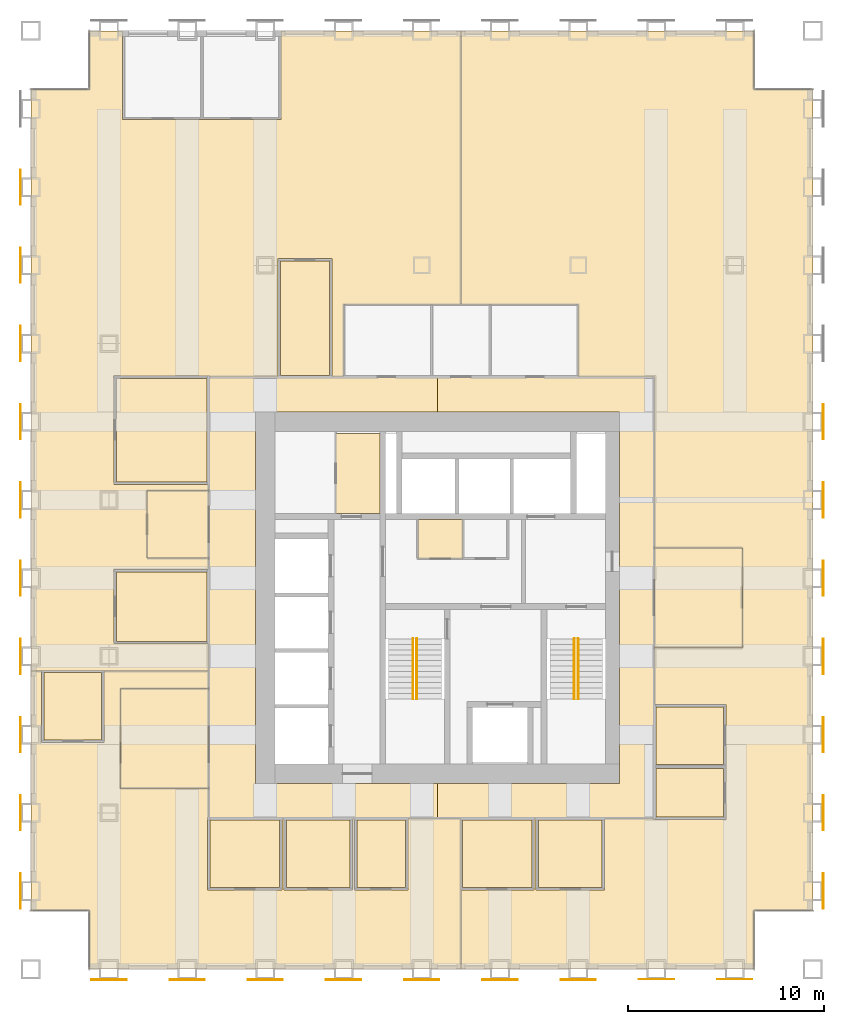
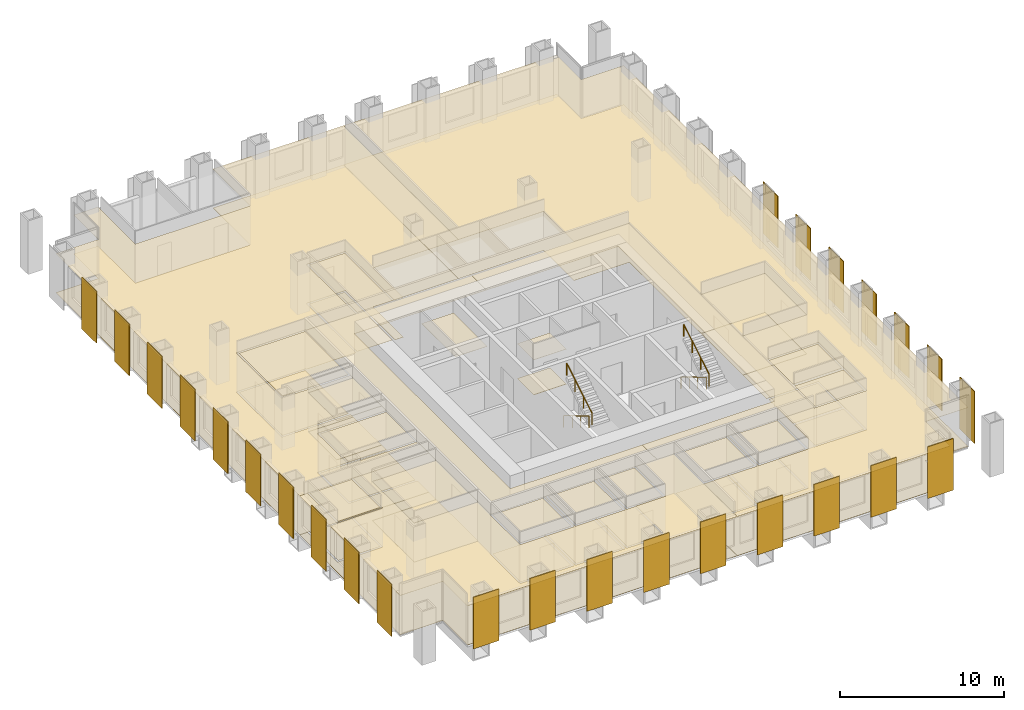
# One storey, part 12 of 13: 39 coverings, 26 shading devices, 4 railings.
"""IFC4 building model written with IfcOpenShell, lengths in metres."""

from ifc_helpers import new_model, si_unit, direction, frame, origin, origin_2d, place, context, subcontext, project, spatial, polyline, rectangle, circle, outline, extrude, material, layer, layer_set, type_object, element, save


model = new_model("IFC4")

# Units and contexts
model_context = context("Model", 3, precision=1e-05, world=origin(), true_north=direction((0.0, 1.0)))
body_context = subcontext(model_context, "Body", "Model", "MODEL_VIEW")
ifc_project = project(units=[si_unit("LENGTHUNIT", "METRE"), si_unit("AREAUNIT", "SQUARE_METRE"), si_unit("VOLUMEUNIT", "CUBIC_METRE"), si_unit("PLANEANGLEUNIT", "RADIAN"), si_unit("MASSUNIT", "GRAM", prefix="KILO")], contexts=[model_context])

# Site, building, storey
site_placement = place(None, origin())
site = spatial("IfcSite", under=ifc_project, at=site_placement, CompositionType="ELEMENT")
building_placement = place(site_placement, origin())
building = spatial("IfcBuilding", under=site, at=building_placement, Name="Rimbunsela Tower", CompositionType="ELEMENT")
storey_placement = place(building_placement, frame((0.0, 0.0, 175.800048828125)))
storey = spatial("IfcBuildingStorey", under=building, at=storey_placement, Name="L42", CompositionType="ELEMENT", Elevation=175.800048828125)

# Coverings
ifc_material_1 = material(Name="Nylon carpet tile", Category="textile")
ifc_layer_1 = layer(ifc_material_1, 0.010009765625)
ifc_layer_set_1 = layer_set([ifc_layer_1], Name="Carpet tile 10")
covering_type_1 = type_object("IfcCoveringType", Name="Carpet tile 10", PredefinedType="FLOORING", material=ifc_layer_set_1)
covering_1_placement = place(storey_placement, origin())
element("IfcCovering", 1, at=covering_1_placement, inside=storey, type_object=covering_type_1, Name="Floor finish Open office", PredefinedType="FLOORING", context=body_context, shape_type="SweptSolid", body=[
    extrude(outline(polyline([(18.85009765625, 15.699951171875), (18.949951171875, 15.699951171875), (18.949951171875, 12.050048828125), (22.449951171875, 12.050048828125), (22.449951171875, 15.699951171875), (22.550048828125, 15.699951171875), (22.550048828125, 12.050048828125), (25.300048828125, 12.050048828125), (25.300048828125, 15.699951171875), (27.9990234375, 15.699951171875), (27.9990234375, 8.0), (15.10009765625, 8.0), (9.0, 8.0), (9.0, 11.0), (6.0, 11.0), (6.0, 23.2490234375), (6.550048828125, 23.2490234375), (6.550048828125, 19.60009765625), (9.75, 19.60009765625), (9.75, 23.2490234375), (15.10009765625, 23.2490234375), (15.10009765625, 22.34912109375), (10.60009765625, 22.34912109375), (10.60009765625, 17.2490234375), (15.10009765625, 17.2490234375), (15.10009765625, 15.75), (15.050048828125, 15.75), (15.050048828125, 12.050048828125), (15.10009765625, 12.050048828125), (18.85009765625, 12.050048828125), (18.85009765625, 15.699951171875)])), origin(), (0.0, 0.0, 1.0), 0.010009765625),
])
covering_2_placement = place(storey_placement, origin())
element("IfcCovering", 2, at=covering_2_placement, inside=storey, type_object=covering_type_1, Name="Floor finish Open office", PredefinedType="FLOORING", context=body_context, shape_type="SweptSolid", body=[
    extrude(outline(polyline([(14.699951171875, 51.449951171875), (14.800048828125, 51.449951171875), (15.10009765625, 51.449951171875), (18.800048828125, 51.449951171875), (18.800048828125, 56.0), (27.9990234375, 56.0), (27.9990234375, 42.0), (22.0, 42.0), (22.0, 38.300048828125), (21.39990234375, 38.300048828125), (21.39990234375, 44.35009765625), (18.64990234375, 44.35009765625), (18.64990234375, 38.300048828125), (15.14990234375, 38.300048828125), (15.14990234375, 38.35009765625), (15.10009765625, 38.35009765625), (10.25, 38.35009765625), (10.25, 32.800048828125), (15.10009765625, 32.800048828125), (15.10009765625, 32.47509765625), (11.949951171875, 32.47509765625), (11.949951171875, 29.02490234375), (15.10009765625, 29.02490234375), (15.10009765625, 28.449951171875), (10.25, 28.449951171875), (10.25, 24.64990234375), (15.10009765625, 24.64990234375), (15.10009765625, 23.2509765625), (6.0, 23.2509765625), (6.0, 53.0), (9.0, 53.0), (9.0, 56.0), (10.699951171875, 56.0), (10.699951171875, 51.449951171875), (14.699951171875, 51.449951171875)])), origin(), (0.0, 0.0, 1.0), 0.010009765625),
])
covering_3_placement = place(storey_placement, origin())
element("IfcCovering", 3, at=covering_3_placement, inside=storey, type_object=covering_type_1, Name="Floor finish Open office", PredefinedType="FLOORING", context=body_context, shape_type="SweptSolid", body=[
    extrude(outline(polyline([(28.0009765625, 12.050048828125), (31.75, 12.050048828125), (31.75, 15.699951171875), (31.85009765625, 15.699951171875), (31.85009765625, 12.050048828125), (35.35009765625, 12.050048828125), (35.35009765625, 15.699951171875), (37.85009765625, 15.699951171875), (37.85009765625, 15.64990234375), (37.89990234375, 15.64990234375), (41.550048828125, 15.64990234375), (41.550048828125, 18.35009765625), (41.550048828125, 18.39990234375), (41.550048828125, 21.550048828125), (37.89990234375, 21.550048828125), (37.89990234375, 24.449951171875), (42.39990234375, 24.449951171875), (42.39990234375, 29.550048828125), (37.89990234375, 29.550048828125), (37.89990234375, 38.300048828125), (34.0, 38.300048828125), (34.0, 42.0), (28.0009765625, 42.0), (28.0009765625, 56.0), (37.89990234375, 56.0), (43.0, 56.0), (43.0, 53.0), (46.0, 53.0), (46.0, 11.0), (43.0, 11.0), (43.0, 8.0), (37.89990234375, 8.0), (28.0009765625, 8.0), (28.0009765625, 12.050048828125)])), origin(), (0.0, 0.0, 1.0), 0.010009765625),
])
covering_4_placement = place(storey_placement, origin())
element("IfcCovering", 4, at=covering_4_placement, inside=storey, type_object=covering_type_1, Name="Floor finish Reception", PredefinedType="FLOORING", context=body_context, shape_type="SweptSolid", body=[
    extrude(outline(polyline([(15.10009765625, 17.2490234375), (15.10009765625, 22.34912109375), (10.60009765625, 22.34912109375), (10.60009765625, 17.2490234375), (15.10009765625, 17.2490234375)])), origin(), (0.0, 0.0, 1.0), 0.010009765625),
])
covering_5_placement = place(storey_placement, origin())
element("IfcCovering", 5, at=covering_5_placement, inside=storey, type_object=covering_type_1, Name="Floor finish Reception", PredefinedType="FLOORING", context=body_context, shape_type="SweptSolid", body=[
    extrude(outline(polyline([(15.10009765625, 29.02490234375), (15.10009765625, 32.47509765625), (11.949951171875, 32.47509765625), (11.949951171875, 29.02490234375), (15.10009765625, 29.02490234375)])), origin(), (0.0, 0.0, 1.0), 0.010009765625),
])
covering_6_placement = place(storey_placement, origin())
element("IfcCovering", 6, at=covering_6_placement, inside=storey, type_object=covering_type_1, Name="Floor finish Reception", PredefinedType="FLOORING", context=body_context, shape_type="SweptSolid", body=[
    extrude(outline(polyline([(42.39990234375, 24.449951171875), (42.39990234375, 29.550048828125), (37.89990234375, 29.550048828125), (37.89990234375, 24.449951171875), (42.39990234375, 24.449951171875)])), origin(), (0.0, 0.0, 1.0), 0.010009765625),
])
covering_7_placement = place(storey_placement, origin())
element("IfcCovering", 7, at=covering_7_placement, inside=storey, type_object=covering_type_1, Name="Floor finish Pantry", PredefinedType="FLOORING", context=body_context, shape_type="SweptSolid", body=[
    extrude(outline(polyline([(15.02490234375, 32.925048828125), (15.02490234375, 38.22509765625), (10.375, 38.22509765625), (10.375, 32.925048828125), (15.02490234375, 32.925048828125)])), origin(), (0.0, 0.0, 1.0), 0.010009765625),
])
covering_8_placement = place(storey_placement, origin())
element("IfcCovering", 8, at=covering_8_placement, inside=storey, type_object=covering_type_1, Name="Floor finish Meeting room", PredefinedType="FLOORING", context=body_context, shape_type="SweptSolid", body=[
    extrude(outline(polyline([(18.72509765625, 12.175048828125), (18.72509765625, 15.625), (15.175048828125, 15.625), (15.175048828125, 12.175048828125), (18.72509765625, 12.175048828125)])), origin(), (0.0, 0.0, 1.0), 0.010009765625),
])
covering_9_placement = place(storey_placement, origin())
element("IfcCovering", 9, at=covering_9_placement, inside=storey, type_object=covering_type_1, Name="Floor finish Pantry", PredefinedType="FLOORING", context=body_context, shape_type="SweptSolid", body=[
    extrude(outline(polyline([(22.324951171875, 12.175048828125), (22.324951171875, 15.625), (19.074951171875, 15.625), (19.074951171875, 12.175048828125), (22.324951171875, 12.175048828125)])), origin(), (0.0, 0.0, 1.0), 0.010009765625),
])
covering_10_placement = place(storey_placement, origin())
element("IfcCovering", 10, at=covering_10_placement, inside=storey, type_object=covering_type_1, Name="Floor finish Print and copy room", PredefinedType="FLOORING", context=body_context, shape_type="SweptSolid", body=[
    extrude(outline(polyline([(25.175048828125, 12.175048828125), (25.175048828125, 15.625), (22.675048828125, 15.625), (22.675048828125, 12.175048828125), (25.175048828125, 12.175048828125)])), origin(), (0.0, 0.0, 1.0), 0.010009765625),
])
covering_11_placement = place(storey_placement, origin())
element("IfcCovering", 11, at=covering_11_placement, inside=storey, type_object=covering_type_1, Name="Floor finish Office", PredefinedType="FLOORING", context=body_context, shape_type="SweptSolid", body=[
    extrude(outline(polyline([(9.625, 19.72509765625), (9.625, 23.175048828125), (6.675048828125, 23.175048828125), (6.675048828125, 19.72509765625), (9.625, 19.72509765625)])), origin(), (0.0, 0.0, 1.0), 0.010009765625),
])
covering_12_placement = place(storey_placement, origin())
element("IfcCovering", 12, at=covering_12_placement, inside=storey, type_object=covering_type_1, Name="Floor finish Meeting room", PredefinedType="FLOORING", context=body_context, shape_type="SweptSolid", body=[
    extrude(outline(polyline([(15.02490234375, 24.77490234375), (15.02490234375, 28.324951171875), (10.375, 28.324951171875), (10.375, 24.77490234375), (15.02490234375, 24.77490234375)])), origin(), (0.0, 0.0, 1.0), 0.010009765625),
])
covering_13_placement = place(storey_placement, origin())
element("IfcCovering", 13, at=covering_13_placement, inside=storey, type_object=covering_type_1, Name="Floor finish Print and copy room", PredefinedType="FLOORING", context=body_context, shape_type="SweptSolid", body=[
    extrude(outline(polyline([(21.27490234375, 38.375), (21.27490234375, 44.22509765625), (18.77490234375, 44.22509765625), (18.77490234375, 38.375), (21.27490234375, 38.375)])), origin(), (0.0, 0.0, 1.0), 0.010009765625),
])
covering_14_placement = place(storey_placement, origin())
element("IfcCovering", 14, at=covering_14_placement, inside=storey, type_object=covering_type_1, Name="Floor finish Meeting room", PredefinedType="FLOORING", context=body_context, shape_type="SweptSolid", body=[
    extrude(outline(polyline([(31.625, 12.175048828125), (31.625, 15.625), (28.074951171875, 15.625), (28.074951171875, 12.175048828125), (31.625, 12.175048828125)])), origin(), (0.0, 0.0, 1.0), 0.010009765625),
])
covering_15_placement = place(storey_placement, origin())
element("IfcCovering", 15, at=covering_15_placement, inside=storey, type_object=covering_type_1, Name="Floor finish Pantry", PredefinedType="FLOORING", context=body_context, shape_type="SweptSolid", body=[
    extrude(outline(polyline([(35.22509765625, 12.175048828125), (35.22509765625, 15.625), (31.97509765625, 15.625), (31.97509765625, 12.175048828125), (35.22509765625, 12.175048828125)])), origin(), (0.0, 0.0, 1.0), 0.010009765625),
])
covering_16_placement = place(storey_placement, origin())
element("IfcCovering", 16, at=covering_16_placement, inside=storey, type_object=covering_type_1, Name="Floor finish Print and copy room", PredefinedType="FLOORING", context=body_context, shape_type="SweptSolid", body=[
    extrude(outline(polyline([(41.425048828125, 15.77490234375), (41.425048828125, 18.27490234375), (37.97509765625, 18.27490234375), (37.97509765625, 15.77490234375), (41.425048828125, 15.77490234375)])), origin(), (0.0, 0.0, 1.0), 0.010009765625),
])
covering_17_placement = place(storey_placement, origin())
element("IfcCovering", 17, at=covering_17_placement, inside=storey, type_object=covering_type_1, Name="Floor finish Office", PredefinedType="FLOORING", context=body_context, shape_type="SweptSolid", body=[
    extrude(outline(polyline([(41.425048828125, 18.47509765625), (41.425048828125, 21.425048828125), (37.97509765625, 21.425048828125), (37.97509765625, 18.47509765625), (41.425048828125, 18.47509765625)])), origin(), (0.0, 0.0, 1.0), 0.010009765625),
])
ifc_material_2 = material(Name="Mineral fibre ceiling tile", Category="gypsum")
ifc_layer_2 = layer(ifc_material_2, 0.02001953125)
ifc_layer_set_2 = layer_set([ifc_layer_2], Name="Ceiling 600 grid")
covering_type_2 = type_object("IfcCoveringType", Name="Ceiling 600 grid", PredefinedType="CEILING", material=ifc_layer_set_2)
covering_18_placement = place(storey_placement, frame((0.0, 0.0, 2.89990234375)))
element("IfcCovering", 18, at=covering_18_placement, inside=storey, type_object=covering_type_2, Name="Ceiling Staff pantry", PredefinedType="CEILING", context=body_context, shape_type="SweptSolid", body=[
    extrude(outline(polyline([(23.85009765625, 31.300048828125), (23.85009765625, 35.39990234375), (21.60009765625, 35.39990234375), (21.60009765625, 31.300048828125), (23.85009765625, 31.300048828125)])), origin(), (0.0, 0.0, 1.0), 0.02001953125),
])
covering_19_placement = place(storey_placement, frame((0.0, 0.0, 2.89990234375)))
element("IfcCovering", 19, at=covering_19_placement, inside=storey, type_object=covering_type_2, Name="Ceiling Ring corridor", PredefinedType="CEILING", context=body_context, shape_type="SweptSolid", body=[
    extrude(outline(polyline([(15.10009765625, 38.300048828125), (26.800048828125, 38.300048828125), (26.800048828125, 36.5), (17.5, 36.5), (17.5, 17.5), (26.800048828125, 17.5), (26.800048828125, 15.699951171875), (15.10009765625, 15.699951171875), (15.10009765625, 38.300048828125)])), origin(), (0.0, 0.0, 1.0), 0.02001953125),
])
covering_20_placement = place(storey_placement, frame((0.0, 0.0, 2.89990234375)))
element("IfcCovering", 20, at=covering_20_placement, inside=storey, type_object=covering_type_2, Name="Ceiling Ring corridor", PredefinedType="CEILING", context=body_context, shape_type="SweptSolid", body=[
    extrude(outline(polyline([(37.89990234375, 38.300048828125), (37.89990234375, 15.699951171875), (26.800048828125, 15.699951171875), (26.800048828125, 17.5), (36.10009765625, 17.5), (36.10009765625, 36.5), (26.800048828125, 36.5), (26.800048828125, 38.300048828125), (37.89990234375, 38.300048828125)])), origin(), (0.0, 0.0, 1.0), 0.02001953125),
])
covering_21_placement = place(storey_placement, frame((0.0, 0.0, 2.89990234375)))
element("IfcCovering", 21, at=covering_21_placement, inside=storey, type_object=covering_type_2, Name="Ceiling Open office", PredefinedType="CEILING", context=body_context, shape_type="SweptSolid", body=[
    extrude(outline(polyline([(18.85009765625, 15.699951171875), (18.949951171875, 15.699951171875), (18.949951171875, 12.050048828125), (22.449951171875, 12.050048828125), (22.449951171875, 15.699951171875), (22.550048828125, 15.699951171875), (22.550048828125, 12.050048828125), (25.300048828125, 12.050048828125), (25.300048828125, 15.699951171875), (27.9990234375, 15.699951171875), (27.9990234375, 8.0), (15.10009765625, 8.0), (9.0, 8.0), (9.0, 11.0), (6.0, 11.0), (6.0, 23.2490234375), (6.550048828125, 23.2490234375), (6.550048828125, 19.60009765625), (9.75, 19.60009765625), (9.75, 23.2490234375), (15.10009765625, 23.2490234375), (15.10009765625, 22.34912109375), (10.60009765625, 22.34912109375), (10.60009765625, 17.2490234375), (15.10009765625, 17.2490234375), (15.10009765625, 15.75), (15.050048828125, 15.75), (15.050048828125, 12.050048828125), (15.10009765625, 12.050048828125), (18.85009765625, 12.050048828125), (18.85009765625, 15.699951171875)])), origin(), (0.0, 0.0, 1.0), 0.02001953125),
])
covering_22_placement = place(storey_placement, frame((0.0, 0.0, 2.89990234375)))
element("IfcCovering", 22, at=covering_22_placement, inside=storey, type_object=covering_type_2, Name="Ceiling Open office", PredefinedType="CEILING", context=body_context, shape_type="SweptSolid", body=[
    extrude(outline(polyline([(14.699951171875, 51.449951171875), (14.800048828125, 51.449951171875), (15.10009765625, 51.449951171875), (18.800048828125, 51.449951171875), (18.800048828125, 56.0), (27.9990234375, 56.0), (27.9990234375, 42.0), (22.0, 42.0), (22.0, 38.300048828125), (21.39990234375, 38.300048828125), (21.39990234375, 44.35009765625), (18.64990234375, 44.35009765625), (18.64990234375, 38.300048828125), (15.14990234375, 38.300048828125), (15.14990234375, 38.35009765625), (15.10009765625, 38.35009765625), (10.25, 38.35009765625), (10.25, 32.800048828125), (15.10009765625, 32.800048828125), (15.10009765625, 32.47509765625), (11.949951171875, 32.47509765625), (11.949951171875, 29.02490234375), (15.10009765625, 29.02490234375), (15.10009765625, 28.449951171875), (10.25, 28.449951171875), (10.25, 24.64990234375), (15.10009765625, 24.64990234375), (15.10009765625, 23.2509765625), (6.0, 23.2509765625), (6.0, 53.0), (9.0, 53.0), (9.0, 56.0), (10.699951171875, 56.0), (10.699951171875, 51.449951171875), (14.699951171875, 51.449951171875)])), origin(), (0.0, 0.0, 1.0), 0.02001953125),
])
covering_23_placement = place(storey_placement, frame((0.0, 0.0, 2.89990234375)))
element("IfcCovering", 23, at=covering_23_placement, inside=storey, type_object=covering_type_2, Name="Ceiling Open office", PredefinedType="CEILING", context=body_context, shape_type="SweptSolid", body=[
    extrude(outline(polyline([(28.0009765625, 12.050048828125), (31.75, 12.050048828125), (31.75, 15.699951171875), (31.85009765625, 15.699951171875), (31.85009765625, 12.050048828125), (35.35009765625, 12.050048828125), (35.35009765625, 15.699951171875), (37.85009765625, 15.699951171875), (37.85009765625, 15.64990234375), (37.89990234375, 15.64990234375), (41.550048828125, 15.64990234375), (41.550048828125, 18.35009765625), (41.550048828125, 18.39990234375), (41.550048828125, 21.550048828125), (37.89990234375, 21.550048828125), (37.89990234375, 24.449951171875), (42.39990234375, 24.449951171875), (42.39990234375, 29.550048828125), (37.89990234375, 29.550048828125), (37.89990234375, 38.300048828125), (34.0, 38.300048828125), (34.0, 42.0), (28.0009765625, 42.0), (28.0009765625, 56.0), (37.89990234375, 56.0), (43.0, 56.0), (43.0, 53.0), (46.0, 53.0), (46.0, 11.0), (43.0, 11.0), (43.0, 8.0), (37.89990234375, 8.0), (28.0009765625, 8.0), (28.0009765625, 12.050048828125)])), origin(), (0.0, 0.0, 1.0), 0.02001953125),
])
covering_24_placement = place(storey_placement, frame((0.0, 0.0, 2.89990234375)))
element("IfcCovering", 24, at=covering_24_placement, inside=storey, type_object=covering_type_2, Name="Ceiling Reception", PredefinedType="CEILING", context=body_context, shape_type="SweptSolid", body=[
    extrude(outline(polyline([(15.10009765625, 17.2490234375), (15.10009765625, 22.34912109375), (10.60009765625, 22.34912109375), (10.60009765625, 17.2490234375), (15.10009765625, 17.2490234375)])), origin(), (0.0, 0.0, 1.0), 0.02001953125),
])
covering_25_placement = place(storey_placement, frame((0.0, 0.0, 2.89990234375)))
element("IfcCovering", 25, at=covering_25_placement, inside=storey, type_object=covering_type_2, Name="Ceiling Reception", PredefinedType="CEILING", context=body_context, shape_type="SweptSolid", body=[
    extrude(outline(polyline([(15.10009765625, 29.02490234375), (15.10009765625, 32.47509765625), (11.949951171875, 32.47509765625), (11.949951171875, 29.02490234375), (15.10009765625, 29.02490234375)])), origin(), (0.0, 0.0, 1.0), 0.02001953125),
])
covering_26_placement = place(storey_placement, frame((0.0, 0.0, 2.89990234375)))
element("IfcCovering", 26, at=covering_26_placement, inside=storey, type_object=covering_type_2, Name="Ceiling Reception", PredefinedType="CEILING", context=body_context, shape_type="SweptSolid", body=[
    extrude(outline(polyline([(42.39990234375, 24.449951171875), (42.39990234375, 29.550048828125), (37.89990234375, 29.550048828125), (37.89990234375, 24.449951171875), (42.39990234375, 24.449951171875)])), origin(), (0.0, 0.0, 1.0), 0.02001953125),
])
covering_27_placement = place(storey_placement, frame((0.0, 0.0, 2.89990234375)))
element("IfcCovering", 27, at=covering_27_placement, inside=storey, type_object=covering_type_2, Name="Ceiling Pantry", PredefinedType="CEILING", context=body_context, shape_type="SweptSolid", body=[
    extrude(outline(polyline([(15.02490234375, 32.925048828125), (15.02490234375, 38.22509765625), (10.375, 38.22509765625), (10.375, 32.925048828125), (15.02490234375, 32.925048828125)])), origin(), (0.0, 0.0, 1.0), 0.02001953125),
])
covering_28_placement = place(storey_placement, frame((0.0, 0.0, 2.89990234375)))
element("IfcCovering", 28, at=covering_28_placement, inside=storey, type_object=covering_type_2, Name="Ceiling Meeting room", PredefinedType="CEILING", context=body_context, shape_type="SweptSolid", body=[
    extrude(outline(polyline([(18.72509765625, 12.175048828125), (18.72509765625, 15.625), (15.175048828125, 15.625), (15.175048828125, 12.175048828125), (18.72509765625, 12.175048828125)])), origin(), (0.0, 0.0, 1.0), 0.02001953125),
])
covering_29_placement = place(storey_placement, frame((0.0, 0.0, 2.89990234375)))
element("IfcCovering", 29, at=covering_29_placement, inside=storey, type_object=covering_type_2, Name="Ceiling Pantry", PredefinedType="CEILING", context=body_context, shape_type="SweptSolid", body=[
    extrude(outline(polyline([(22.324951171875, 12.175048828125), (22.324951171875, 15.625), (19.074951171875, 15.625), (19.074951171875, 12.175048828125), (22.324951171875, 12.175048828125)])), origin(), (0.0, 0.0, 1.0), 0.02001953125),
])
covering_30_placement = place(storey_placement, frame((0.0, 0.0, 2.89990234375)))
element("IfcCovering", 30, at=covering_30_placement, inside=storey, type_object=covering_type_2, Name="Ceiling Print and copy room", PredefinedType="CEILING", context=body_context, shape_type="SweptSolid", body=[
    extrude(outline(polyline([(25.175048828125, 12.175048828125), (25.175048828125, 15.625), (22.675048828125, 15.625), (22.675048828125, 12.175048828125), (25.175048828125, 12.175048828125)])), origin(), (0.0, 0.0, 1.0), 0.02001953125),
])
covering_31_placement = place(storey_placement, frame((0.0, 0.0, 2.89990234375)))
element("IfcCovering", 31, at=covering_31_placement, inside=storey, type_object=covering_type_2, Name="Ceiling Office", PredefinedType="CEILING", context=body_context, shape_type="SweptSolid", body=[
    extrude(outline(polyline([(9.625, 19.72509765625), (9.625, 23.175048828125), (6.675048828125, 23.175048828125), (6.675048828125, 19.72509765625), (9.625, 19.72509765625)])), origin(), (0.0, 0.0, 1.0), 0.02001953125),
])
covering_32_placement = place(storey_placement, frame((0.0, 0.0, 2.89990234375)))
element("IfcCovering", 32, at=covering_32_placement, inside=storey, type_object=covering_type_2, Name="Ceiling Meeting room", PredefinedType="CEILING", context=body_context, shape_type="SweptSolid", body=[
    extrude(outline(polyline([(15.02490234375, 24.77490234375), (15.02490234375, 28.324951171875), (10.375, 28.324951171875), (10.375, 24.77490234375), (15.02490234375, 24.77490234375)])), origin(), (0.0, 0.0, 1.0), 0.02001953125),
])
covering_33_placement = place(storey_placement, frame((0.0, 0.0, 2.89990234375)))
element("IfcCovering", 33, at=covering_33_placement, inside=storey, type_object=covering_type_2, Name="Ceiling Print and copy room", PredefinedType="CEILING", context=body_context, shape_type="SweptSolid", body=[
    extrude(outline(polyline([(21.27490234375, 38.375), (21.27490234375, 44.22509765625), (18.77490234375, 44.22509765625), (18.77490234375, 38.375), (21.27490234375, 38.375)])), origin(), (0.0, 0.0, 1.0), 0.02001953125),
])
covering_34_placement = place(storey_placement, frame((0.0, 0.0, 2.89990234375)))
element("IfcCovering", 34, at=covering_34_placement, inside=storey, type_object=covering_type_2, Name="Ceiling Meeting room", PredefinedType="CEILING", context=body_context, shape_type="SweptSolid", body=[
    extrude(outline(polyline([(31.625, 12.175048828125), (31.625, 15.625), (28.074951171875, 15.625), (28.074951171875, 12.175048828125), (31.625, 12.175048828125)])), origin(), (0.0, 0.0, 1.0), 0.02001953125),
])
covering_35_placement = place(storey_placement, frame((0.0, 0.0, 2.89990234375)))
element("IfcCovering", 35, at=covering_35_placement, inside=storey, type_object=covering_type_2, Name="Ceiling Pantry", PredefinedType="CEILING", context=body_context, shape_type="SweptSolid", body=[
    extrude(outline(polyline([(35.22509765625, 12.175048828125), (35.22509765625, 15.625), (31.97509765625, 15.625), (31.97509765625, 12.175048828125), (35.22509765625, 12.175048828125)])), origin(), (0.0, 0.0, 1.0), 0.02001953125),
])
covering_36_placement = place(storey_placement, frame((0.0, 0.0, 2.89990234375)))
element("IfcCovering", 36, at=covering_36_placement, inside=storey, type_object=covering_type_2, Name="Ceiling Print and copy room", PredefinedType="CEILING", context=body_context, shape_type="SweptSolid", body=[
    extrude(outline(polyline([(41.425048828125, 15.77490234375), (41.425048828125, 18.27490234375), (37.97509765625, 18.27490234375), (37.97509765625, 15.77490234375), (41.425048828125, 15.77490234375)])), origin(), (0.0, 0.0, 1.0), 0.02001953125),
])
covering_37_placement = place(storey_placement, frame((0.0, 0.0, 2.89990234375)))
element("IfcCovering", 37, at=covering_37_placement, inside=storey, type_object=covering_type_2, Name="Ceiling Office", PredefinedType="CEILING", context=body_context, shape_type="SweptSolid", body=[
    extrude(outline(polyline([(41.425048828125, 18.47509765625), (41.425048828125, 21.425048828125), (37.97509765625, 21.425048828125), (37.97509765625, 18.47509765625), (41.425048828125, 18.47509765625)])), origin(), (0.0, 0.0, 1.0), 0.02001953125),
])
ifc_material_3 = material(Name="Moisture-resistant plasterboard ceiling", Category="gypsum")
ifc_layer_3 = layer(ifc_material_3, 0.012451171875)
ifc_layer_set_3 = layer_set([ifc_layer_3], Name="Ceiling moisture-resistant board")
covering_type_3 = type_object("IfcCoveringType", Name="Ceiling moisture-resistant board", PredefinedType="CEILING", material=ifc_layer_set_3)
covering_38_placement = place(storey_placement, frame((0.0, 0.0, 2.599853515625)))
element("IfcCovering", 38, at=covering_38_placement, inside=storey, type_object=covering_type_3, Name="Ceiling Staff WC", PredefinedType="CEILING", context=body_context, shape_type="SweptSolid", body=[
    extrude(outline(polyline([(28.10009765625, 29.0), (28.10009765625, 31.0), (25.800048828125, 31.0), (25.800048828125, 29.0), (28.10009765625, 29.0)])), origin(), (0.0, 0.0, 1.0), 0.02001953125),
])
ifc_material_4 = material(Name="Porcelain floor tile in adhesive bed", Category="ceramic")
ifc_layer_4 = layer(ifc_material_4, 0.02001953125)
ifc_layer_set_4 = layer_set([ifc_layer_4], Name="Porcelain tile 20")
covering_type_4 = type_object("IfcCoveringType", Name="Porcelain tile 20", PredefinedType="FLOORING", material=ifc_layer_set_4)
covering_39_placement = place(storey_placement, origin())
element("IfcCovering", 39, at=covering_39_placement, inside=storey, type_object=covering_type_4, Name="Floor finish Staff WC", PredefinedType="FLOORING", context=body_context, shape_type="SweptSolid", body=[
    extrude(outline(polyline([(28.10009765625, 29.0), (28.10009765625, 31.0), (25.800048828125, 31.0), (25.800048828125, 29.0), (28.10009765625, 29.0)])), origin(), (0.0, 0.0, 1.0), 0.02001953125),
])

# Shading devices
ifc_material_5 = material(Name="Perforated aluminium, 35 % open area", Category="aluminium")
ifc_layer_5 = layer(ifc_material_5, 0.050048828125)
ifc_layer_set_5 = layer_set([ifc_layer_5], Name="Solar screen panel 1800")
shading_device_type = type_object("IfcShadingDeviceType", Name="Solar screen panel 1800", PredefinedType="USERDEFINED", material=ifc_layer_set_5)
for number, where, z_axis, x_axis, name in (
    (40, (10.0, 7.47509765625, 0.0), (0.0, 0.0, 1.0), (1.0, 0.0, 0.0), "Solar screen S L42"),
    (41, (14.0, 7.47509765625, 0.0), (0.0, 0.0, 1.0), (1.0, 0.0, 0.0), "Solar screen S L42"),
    (42, (18.0, 7.47509765625, 0.0), (0.0, 0.0, 1.0), (1.0, 0.0, 0.0), "Solar screen S L42"),
    (43, (22.0, 7.47509765625, 0.0), (0.0, 0.0, 1.0), (1.0, 0.0, 0.0), "Solar screen S L42"),
    (44, (26.0, 7.47509765625, 0.0), (0.0, 0.0, 1.0), (1.0, 0.0, 0.0), "Solar screen S L42"),
    (45, (30.0, 7.47509765625, 0.0), (0.0, 0.0, 1.0), (1.0, 0.0, 0.0), "Solar screen S L42"),
    (46, (34.0, 7.47509765625, 0.0), (0.0, 0.0, 1.0), (1.0, 0.0, 0.0), "Solar screen S L42"),
    (47, (38.0, 7.47509765625, 0.0), (0.0, 0.0, 1.0), (1.0, 0.0, 0.0), "Solar screen S L42"),
    (48, (42.0, 7.47509765625, 0.0), (0.0, 0.0, 1.0), (1.0, 0.0, 0.0), "Solar screen S L42"),
    (49, (46.52490234375, 12.0, 0.0), (0.0, 0.0, 1.0), (0.0, 1.0, 0.0), "Solar screen E L42"),
    (50, (46.52490234375, 16.0, 0.0), (0.0, 0.0, 1.0), (0.0, 1.0, 0.0), "Solar screen E L42"),
    (51, (46.52490234375, 20.0, 0.0), (0.0, 0.0, 1.0), (0.0, 1.0, 0.0), "Solar screen E L42"),
    (52, (46.52490234375, 24.0, 0.0), (0.0, 0.0, 1.0), (0.0, 1.0, 0.0), "Solar screen E L42"),
    (53, (46.52490234375, 28.0, 0.0), (0.0, 0.0, 1.0), (0.0, 1.0, 0.0), "Solar screen E L42"),
    (54, (46.52490234375, 32.0, 0.0), (0.0, 0.0, 1.0), (0.0, 1.0, 0.0), "Solar screen E L42"),
    (55, (46.52490234375, 36.0, 0.0), (0.0, 0.0, 1.0), (0.0, 1.0, 0.0), "Solar screen E L42"),
    (56, (5.47509765625, 12.0, 0.0), (0.0, 0.0, 1.0), (0.0, 1.0, 0.0), "Solar screen W L42"),
    (57, (5.47509765625, 16.0, 0.0), (0.0, 0.0, 1.0), (0.0, 1.0, 0.0), "Solar screen W L42"),
    (58, (5.47509765625, 20.0, 0.0), (0.0, 0.0, 1.0), (0.0, 1.0, 0.0), "Solar screen W L42"),
    (59, (5.47509765625, 24.0, 0.0), (0.0, 0.0, 1.0), (0.0, 1.0, 0.0), "Solar screen W L42"),
    (60, (5.47509765625, 28.0, 0.0), (0.0, 0.0, 1.0), (0.0, 1.0, 0.0), "Solar screen W L42"),
    (61, (5.47509765625, 32.0, 0.0), (0.0, 0.0, 1.0), (0.0, 1.0, 0.0), "Solar screen W L42"),
    (62, (5.47509765625, 36.0, 0.0), (0.0, 0.0, 1.0), (0.0, 1.0, 0.0), "Solar screen W L42"),
    (63, (5.47509765625, 40.0, 0.0), (0.0, 0.0, 1.0), (0.0, 1.0, 0.0), "Solar screen W L42"),
    (64, (5.47509765625, 44.0, 0.0), (0.0, 0.0, 1.0), (0.0, 1.0, 0.0), "Solar screen W L42"),
    (65, (5.47509765625, 48.0, 0.0), (0.0, 0.0, 1.0), (0.0, 1.0, 0.0), "Solar screen W L42"),
):
    element("IfcShadingDevice", number, at=place(storey_placement, frame(where, z_axis=z_axis, x_axis=x_axis)), inside=storey, type_object=shading_device_type, Name=name, ObjectType="SCREEN", PredefinedType="USERDEFINED", context=body_context, shape_type="SweptSolid", body=[
        extrude(rectangle(XDim=1.800048828125, YDim=0.050048828125, at=origin_2d()), origin(), (0.0, 0.0, 1.0), 3.85009765625),
    ])

# Railings
ifc_material_6 = material(Name="Stainless steel tube", Category="steel")
railing_type = type_object("IfcRailingType", Name="Stair handrail 900", PredefinedType="HANDRAIL", material=ifc_material_6)
railing_1_placement = place(storey_placement, frame((25.550048828125, 24.89990234375, 0.16650390625)))
element("IfcRailing", 66, at=railing_1_placement, inside=storey, type_object=railing_type, Name="Handrail ST-A flight 1", PredefinedType="HANDRAIL", context=body_context, shape_type="SweptSolid", body=[
    extrude(circle(Radius=0.02392578125, at=origin_2d()), frame((0.0, 0.0, 0.8759765625), z_axis=(0.0, -0.859260807169, 0.511537745687), x_axis=(1.0, 0.0, 0.0)), (0.0, 0.0, 1.0), 3.584228515625),
    extrude(circle(Radius=0.02099609375, at=origin_2d()), origin(), (0.0, 0.0, 1.0), 0.851806640625),
    extrude(circle(Radius=0.02099609375, at=origin_2d()), frame((0.0, -1.026611328125, 0.611083984375)), (0.0, 0.0, 1.0), 0.851806640625),
    extrude(circle(Radius=0.02099609375, at=origin_2d()), frame((0.0, -2.05322265625, 1.222412109375)), (0.0, 0.0, 1.0), 0.851806640625),
    extrude(circle(Radius=0.02099609375, at=origin_2d()), frame((0.0, -3.079833984375, 1.83349609375)), (0.0, 0.0, 1.0), 0.851806640625),
])
railing_2_placement = place(storey_placement, frame((25.75, 21.820068359375, 2.16650390625)))
element("IfcRailing", 67, at=railing_2_placement, inside=storey, type_object=railing_type, Name="Handrail ST-A flight 2", PredefinedType="HANDRAIL", context=body_context, shape_type="SweptSolid", body=[
    extrude(circle(Radius=0.02392578125, at=origin_2d()), frame((0.0, 0.0, 0.8759765625), z_axis=(0.0, 0.859260807169, 0.511537745687), x_axis=(-1.0, 0.0, 0.0)), (0.0, 0.0, 1.0), 3.584228515625),
    extrude(circle(Radius=0.02099609375, at=origin_2d()), origin(), (0.0, 0.0, 1.0), 0.851806640625),
    extrude(circle(Radius=0.02099609375, at=origin_2d()), frame((0.0, 1.026611328125, 0.611083984375)), (0.0, 0.0, 1.0), 0.851806640625),
    extrude(circle(Radius=0.02099609375, at=origin_2d()), frame((0.0, 2.05322265625, 1.222412109375)), (0.0, 0.0, 1.0), 0.851806640625),
    extrude(circle(Radius=0.02099609375, at=origin_2d()), frame((0.0, 3.079833984375, 1.83349609375)), (0.0, 0.0, 1.0), 0.851806640625),
])
railing_3_placement = place(storey_placement, frame((33.800048828125, 24.89990234375, 0.16650390625)))
element("IfcRailing", 68, at=railing_3_placement, inside=storey, type_object=railing_type, Name="Handrail ST-B flight 1", PredefinedType="HANDRAIL", context=body_context, shape_type="SweptSolid", body=[
    extrude(circle(Radius=0.02392578125, at=origin_2d()), frame((0.0, 0.0, 0.8759765625), z_axis=(0.0, -0.859260807169, 0.511537745687), x_axis=(1.0, 0.0, 0.0)), (0.0, 0.0, 1.0), 3.584228515625),
    extrude(circle(Radius=0.02099609375, at=origin_2d()), origin(), (0.0, 0.0, 1.0), 0.851806640625),
    extrude(circle(Radius=0.02099609375, at=origin_2d()), frame((0.0, -1.026611328125, 0.611083984375)), (0.0, 0.0, 1.0), 0.851806640625),
    extrude(circle(Radius=0.02099609375, at=origin_2d()), frame((0.0, -2.05322265625, 1.222412109375)), (0.0, 0.0, 1.0), 0.851806640625),
    extrude(circle(Radius=0.02099609375, at=origin_2d()), frame((0.0, -3.079833984375, 1.83349609375)), (0.0, 0.0, 1.0), 0.851806640625),
])
railing_4_placement = place(storey_placement, frame((34.0, 21.820068359375, 2.16650390625)))
element("IfcRailing", 69, at=railing_4_placement, inside=storey, type_object=railing_type, Name="Handrail ST-B flight 2", PredefinedType="HANDRAIL", context=body_context, shape_type="SweptSolid", body=[
    extrude(circle(Radius=0.02392578125, at=origin_2d()), frame((0.0, 0.0, 0.8759765625), z_axis=(0.0, 0.859260807169, 0.511537745687), x_axis=(-1.0, 0.0, 0.0)), (0.0, 0.0, 1.0), 3.584228515625),
    extrude(circle(Radius=0.02099609375, at=origin_2d()), origin(), (0.0, 0.0, 1.0), 0.851806640625),
    extrude(circle(Radius=0.02099609375, at=origin_2d()), frame((0.0, 1.026611328125, 0.611083984375)), (0.0, 0.0, 1.0), 0.851806640625),
    extrude(circle(Radius=0.02099609375, at=origin_2d()), frame((0.0, 2.05322265625, 1.222412109375)), (0.0, 0.0, 1.0), 0.851806640625),
    extrude(circle(Radius=0.02099609375, at=origin_2d()), frame((0.0, 3.079833984375, 1.83349609375)), (0.0, 0.0, 1.0), 0.851806640625),
])

save(model, "model.ifc")
